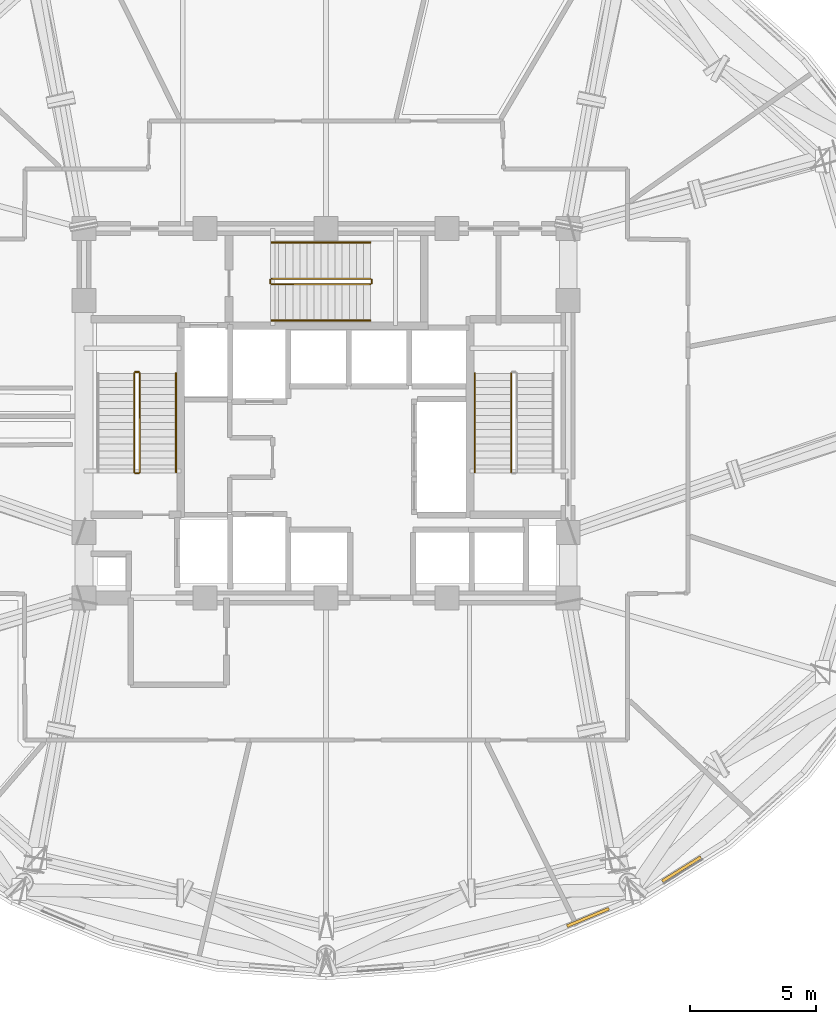
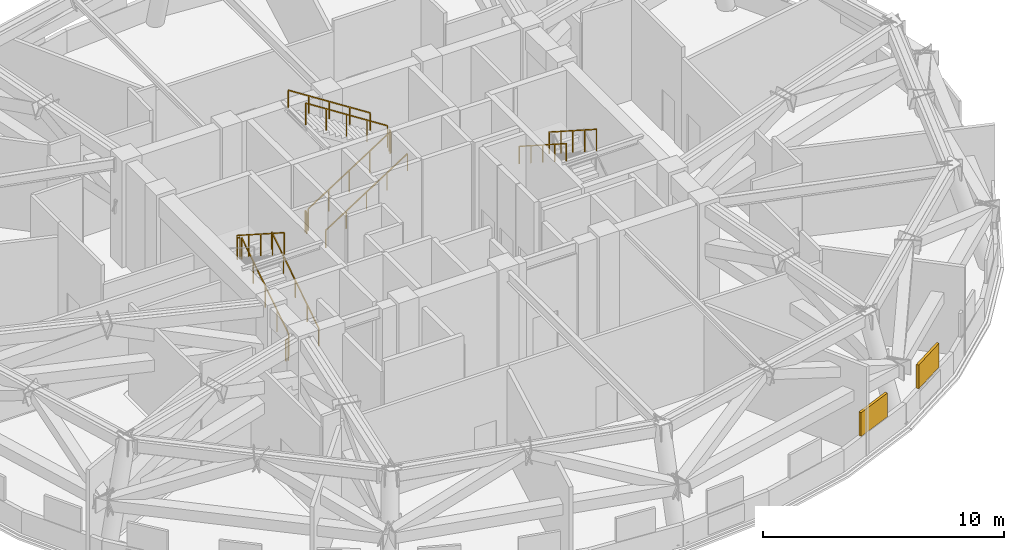
# One storey, part 11 of 13: 13 railings, 2 shading devices.
"""IFC4 building model written with IfcOpenShell, lengths in metres."""

from ifc_helpers import new_model, si_unit, direction, frame, origin, origin_2d, place, context, subcontext, project, spatial, rectangle, extrude, material, layer, layer_set, type_object, element, save


model = new_model("IFC4")

# Units and contexts
model_context = context("Model", 3, precision=1e-05, world=origin(), true_north=direction((0.0, 1.0)))
body_context = subcontext(model_context, "Body", "Model", "MODEL_VIEW")
ifc_project = project(units=[si_unit("LENGTHUNIT", "METRE"), si_unit("AREAUNIT", "SQUARE_METRE"), si_unit("VOLUMEUNIT", "CUBIC_METRE"), si_unit("PLANEANGLEUNIT", "RADIAN"), si_unit("MASSUNIT", "GRAM", prefix="KILO")], contexts=[model_context])

# Site, building, storey
site_placement = place(None, origin())
site = spatial("IfcSite", under=ifc_project, at=site_placement, CompositionType="ELEMENT")
building_placement = place(site_placement, origin())
building = spatial("IfcBuilding", under=site, at=building_placement, Name="Vantalir Tower", CompositionType="ELEMENT")
storey_placement = place(building_placement, frame((0.0, 0.0, 175.949951171875)))
storey = spatial("IfcBuildingStorey", under=building, at=storey_placement, Name="L44", CompositionType="ELEMENT", Elevation=175.949951171875)

# Railings
ifc_material_1 = material(Name="Anodised aluminium and stainless steel guard", Category="steel")
railing_type_1 = type_object("IfcRailingType", Name="RAL-GUARD-1120", PredefinedType="GUARDRAIL", material=ifc_material_1)
railing_1_placement = place(storey_placement, frame((24.110107421875, 22.7900390625, 0.179931640625)))
element("IfcRailing", 1, at=railing_1_placement, inside=storey, type_object=railing_type_1, Name="L44 ST1 stair guard 1", PredefinedType="GUARDRAIL", context=body_context, shape_type="SweptSolid", body=[
    extrude(rectangle(XDim=0.048095703125, YDim=0.048095703125, at=origin_2d()), frame((0.0, 0.0, 1.09619140625), z_axis=(0.0, 0.841171666519, 0.540768182723), x_axis=(-1.0, 0.0, 0.0)), (0.0, 0.0, 1.0), 4.66015625),
    extrude(rectangle(XDim=0.0419921875, YDim=0.0419921875, at=origin_2d()), origin(), (0.0, 0.0, 1.0), 1.072021484375),
    extrude(rectangle(XDim=0.0419921875, YDim=0.0419921875, at=origin_2d()), frame((0.0, 0.97998046875, 0.6298828125)), (0.0, 0.0, 1.0), 1.072021484375),
    extrude(rectangle(XDim=0.0419921875, YDim=0.0419921875, at=origin_2d()), frame((0.0, 1.9599609375, 1.260009765625)), (0.0, 0.0, 1.0), 1.072021484375),
    extrude(rectangle(XDim=0.0419921875, YDim=0.0419921875, at=origin_2d()), frame((0.0, 2.93994140625, 1.89013671875)), (0.0, 0.0, 1.0), 1.072021484375),
    extrude(rectangle(XDim=0.0419921875, YDim=0.0419921875, at=origin_2d()), frame((0.0, 3.919921875, 2.52001953125)), (0.0, 0.0, 1.0), 1.072021484375),
])
railing_2_placement = place(storey_placement, frame((24.06005859375, 26.760009765625, 2.699951171875)))
element("IfcRailing", 2, at=railing_2_placement, inside=storey, type_object=railing_type_1, Name="L44 ST1 stair guard 2", PredefinedType="GUARDRAIL", context=body_context, shape_type="SweptSolid", body=[
    extrude(rectangle(XDim=0.048095703125, YDim=0.048095703125, at=origin_2d()), frame((0.0, 0.0, 1.09619140625), z_axis=(-1.0, 0.0, 0.0), x_axis=(0.0, -1.0, 0.0)), (0.0, 0.0, 1.0), 0.1201171875),
    extrude(rectangle(XDim=0.0419921875, YDim=0.0419921875, at=origin_2d()), origin(), (0.0, 0.0, 1.0), 1.072021484375),
    extrude(rectangle(XDim=0.0419921875, YDim=0.0419921875, at=origin_2d()), frame((-0.1201171875, 0.0, 0.0)), (0.0, 0.0, 1.0), 1.072021484375),
])
railing_3_placement = place(storey_placement, frame((23.889892578125, 26.7099609375, 2.880126953125)))
element("IfcRailing", 3, at=railing_3_placement, inside=storey, type_object=railing_type_1, Name="L44 ST1 stair guard 3", PredefinedType="GUARDRAIL", context=body_context, shape_type="SweptSolid", body=[
    extrude(rectangle(XDim=0.048095703125, YDim=0.048095703125, at=origin_2d()), frame((0.0, 0.0, 1.09619140625), z_axis=(0.0, -0.841171666519, 0.540768182723), x_axis=(1.0, 0.0, 0.0)), (0.0, 0.0, 1.0), 4.66015625),
    extrude(rectangle(XDim=0.0419921875, YDim=0.0419921875, at=origin_2d()), origin(), (0.0, 0.0, 1.0), 1.072021484375),
    extrude(rectangle(XDim=0.0419921875, YDim=0.0419921875, at=origin_2d()), frame((0.0, -0.97998046875, 0.6298828125)), (0.0, 0.0, 1.0), 1.072021484375),
    extrude(rectangle(XDim=0.0419921875, YDim=0.0419921875, at=origin_2d()), frame((0.0, -1.9599609375, 1.260009765625)), (0.0, 0.0, 1.0), 1.072021484375),
    extrude(rectangle(XDim=0.0419921875, YDim=0.0419921875, at=origin_2d()), frame((0.0, -2.93994140625, 1.89013671875)), (0.0, 0.0, 1.0), 1.072021484375),
    extrude(rectangle(XDim=0.0419921875, YDim=0.0419921875, at=origin_2d()), frame((0.0, -3.919921875, 2.52001953125)), (0.0, 0.0, 1.0), 1.072021484375),
])
railing_4_placement = place(storey_placement, frame((24.06005859375, 22.739990234375, 0.0)))
element("IfcRailing", 4, at=railing_4_placement, inside=storey, type_object=railing_type_1, Name="L44 ST1 stair guard 4", PredefinedType="GUARDRAIL", context=body_context, shape_type="SweptSolid", body=[
    extrude(rectangle(XDim=0.048095703125, YDim=0.048095703125, at=origin_2d()), frame((0.0, 0.0, 1.09619140625), z_axis=(-1.0, 0.0, 0.0), x_axis=(0.0, -1.0, 0.0)), (0.0, 0.0, 1.0), 0.1201171875),
    extrude(rectangle(XDim=0.0419921875, YDim=0.0419921875, at=origin_2d()), origin(), (0.0, 0.0, 1.0), 1.072021484375),
    extrude(rectangle(XDim=0.0419921875, YDim=0.0419921875, at=origin_2d()), frame((-0.1201171875, 0.0, 0.0)), (0.0, 0.0, 1.0), 1.072021484375),
])
railing_5_placement = place(storey_placement, frame((38.840087890625, 26.7099609375, 2.880126953125)))
element("IfcRailing", 5, at=railing_5_placement, inside=storey, type_object=railing_type_1, Name="L44 ST2 stair guard 3", PredefinedType="GUARDRAIL", context=body_context, shape_type="SweptSolid", body=[
    extrude(rectangle(XDim=0.048095703125, YDim=0.048095703125, at=origin_2d()), frame((0.0, 0.0, 1.09619140625), z_axis=(0.0, -0.841171666519, 0.540768182723), x_axis=(1.0, 0.0, 0.0)), (0.0, 0.0, 1.0), 4.66015625),
    extrude(rectangle(XDim=0.0419921875, YDim=0.0419921875, at=origin_2d()), origin(), (0.0, 0.0, 1.0), 1.072021484375),
    extrude(rectangle(XDim=0.0419921875, YDim=0.0419921875, at=origin_2d()), frame((0.0, -0.97998046875, 0.6298828125)), (0.0, 0.0, 1.0), 1.072021484375),
    extrude(rectangle(XDim=0.0419921875, YDim=0.0419921875, at=origin_2d()), frame((0.0, -1.9599609375, 1.260009765625)), (0.0, 0.0, 1.0), 1.072021484375),
    extrude(rectangle(XDim=0.0419921875, YDim=0.0419921875, at=origin_2d()), frame((0.0, -2.93994140625, 1.89013671875)), (0.0, 0.0, 1.0), 1.072021484375),
    extrude(rectangle(XDim=0.0419921875, YDim=0.0419921875, at=origin_2d()), frame((0.0, -3.919921875, 2.52001953125)), (0.0, 0.0, 1.0), 1.072021484375),
])
railing_6_placement = place(storey_placement, frame((29.340087890625, 30.239990234375, 0.179931640625)))
element("IfcRailing", 6, at=railing_6_placement, inside=storey, type_object=railing_type_1, Name="L44 ST3 stair guard 1", PredefinedType="GUARDRAIL", context=body_context, shape_type="SweptSolid", body=[
    extrude(rectangle(XDim=0.048095703125, YDim=0.048095703125, at=origin_2d()), frame((0.0, 0.0, 1.09619140625), z_axis=(0.841171666519, 0.0, 0.540768182723), x_axis=(0.0, 1.0, 0.0)), (0.0, 0.0, 1.0), 4.66015625),
    extrude(rectangle(XDim=0.0419921875, YDim=0.0419921875, at=origin_2d()), origin(), (0.0, 0.0, 1.0), 1.072021484375),
    extrude(rectangle(XDim=0.0419921875, YDim=0.0419921875, at=origin_2d()), frame((0.97998046875, 0.0, 0.6298828125)), (0.0, 0.0, 1.0), 1.072021484375),
    extrude(rectangle(XDim=0.0419921875, YDim=0.0419921875, at=origin_2d()), frame((1.9599609375, 0.0, 1.260009765625)), (0.0, 0.0, 1.0), 1.072021484375),
    extrude(rectangle(XDim=0.0419921875, YDim=0.0419921875, at=origin_2d()), frame((2.93994140625, 0.0, 1.89013671875)), (0.0, 0.0, 1.0), 1.072021484375),
    extrude(rectangle(XDim=0.0419921875, YDim=0.0419921875, at=origin_2d()), frame((3.919921875, 0.0, 2.52001953125)), (0.0, 0.0, 1.0), 1.072021484375),
])
railing_7_placement = place(storey_placement, frame((33.31005859375, 30.2900390625, 2.699951171875)))
element("IfcRailing", 7, at=railing_7_placement, inside=storey, type_object=railing_type_1, Name="L44 ST3 stair guard 2", PredefinedType="GUARDRAIL", context=body_context, shape_type="SweptSolid", body=[
    extrude(rectangle(XDim=0.048095703125, YDim=0.048095703125, at=origin_2d()), frame((0.0, 0.0, 1.09619140625), z_axis=(0.0, 1.0, 0.0), x_axis=(-1.0, 0.0, 0.0)), (0.0, 0.0, 1.0), 0.119873046875),
    extrude(rectangle(XDim=0.0419921875, YDim=0.0419921875, at=origin_2d()), origin(), (0.0, 0.0, 1.0), 1.072021484375),
    extrude(rectangle(XDim=0.0419921875, YDim=0.0419921875, at=origin_2d()), frame((0.0, 0.119873046875, 0.0)), (0.0, 0.0, 1.0), 1.072021484375),
])
railing_8_placement = place(storey_placement, frame((33.260009765625, 30.4599609375, 2.880126953125)))
element("IfcRailing", 8, at=railing_8_placement, inside=storey, type_object=railing_type_1, Name="L44 ST3 stair guard 3", PredefinedType="GUARDRAIL", context=body_context, shape_type="SweptSolid", body=[
    extrude(rectangle(XDim=0.048095703125, YDim=0.048095703125, at=origin_2d()), frame((0.0, 0.0, 1.09619140625), z_axis=(-0.841171666519, 0.0, 0.540768182723), x_axis=(0.0, -1.0, 0.0)), (0.0, 0.0, 1.0), 4.66015625),
    extrude(rectangle(XDim=0.0419921875, YDim=0.0419921875, at=origin_2d()), origin(), (0.0, 0.0, 1.0), 1.072021484375),
    extrude(rectangle(XDim=0.0419921875, YDim=0.0419921875, at=origin_2d()), frame((-0.97998046875, 0.0, 0.6298828125)), (0.0, 0.0, 1.0), 1.072021484375),
    extrude(rectangle(XDim=0.0419921875, YDim=0.0419921875, at=origin_2d()), frame((-1.9599609375, 0.0, 1.260009765625)), (0.0, 0.0, 1.0), 1.072021484375),
    extrude(rectangle(XDim=0.0419921875, YDim=0.0419921875, at=origin_2d()), frame((-2.93994140625, 0.0, 1.89013671875)), (0.0, 0.0, 1.0), 1.072021484375),
    extrude(rectangle(XDim=0.0419921875, YDim=0.0419921875, at=origin_2d()), frame((-3.919921875, 0.0, 2.52001953125)), (0.0, 0.0, 1.0), 1.072021484375),
])
railing_9_placement = place(storey_placement, frame((29.2900390625, 30.2900390625, 0.0)))
element("IfcRailing", 9, at=railing_9_placement, inside=storey, type_object=railing_type_1, Name="L44 ST3 stair guard 4", PredefinedType="GUARDRAIL", context=body_context, shape_type="SweptSolid", body=[
    extrude(rectangle(XDim=0.048095703125, YDim=0.048095703125, at=origin_2d()), frame((0.0, 0.0, 1.09619140625), z_axis=(0.0, 1.0, 0.0), x_axis=(-1.0, 0.0, 0.0)), (0.0, 0.0, 1.0), 0.119873046875),
    extrude(rectangle(XDim=0.0419921875, YDim=0.0419921875, at=origin_2d()), origin(), (0.0, 0.0, 1.0), 1.072021484375),
    extrude(rectangle(XDim=0.0419921875, YDim=0.0419921875, at=origin_2d()), frame((0.0, 0.119873046875, 0.0)), (0.0, 0.0, 1.0), 1.072021484375),
])
ifc_material_2 = material(Name="Brushed stainless steel tubular handrail", Category="steel")
railing_type_2 = type_object("IfcRailingType", Name="RAL-HANDRAIL-900", PredefinedType="HANDRAIL", material=ifc_material_2)
railing_10_placement = place(storey_placement, frame((25.550048828125, 22.7900390625, 0.179931640625)))
element("IfcRailing", 10, at=railing_10_placement, inside=storey, type_object=railing_type_2, Name="L44 ST1 stair handrail 1", PredefinedType="HANDRAIL", context=body_context, shape_type="SweptSolid", body=[
    extrude(rectangle(XDim=0.048095703125, YDim=0.048095703125, at=origin_2d()), frame((0.0, 0.0, 0.8759765625), z_axis=(0.0, 0.841171666519, 0.540768182723), x_axis=(-1.0, 0.0, 0.0)), (0.0, 0.0, 1.0), 4.66015625),
    extrude(rectangle(XDim=0.0419921875, YDim=0.0419921875, at=origin_2d()), origin(), (0.0, 0.0, 1.0), 0.851806640625),
    extrude(rectangle(XDim=0.0419921875, YDim=0.0419921875, at=origin_2d()), frame((0.0, 0.97998046875, 0.6298828125)), (0.0, 0.0, 1.0), 0.851806640625),
    extrude(rectangle(XDim=0.0419921875, YDim=0.0419921875, at=origin_2d()), frame((0.0, 1.9599609375, 1.260009765625)), (0.0, 0.0, 1.0), 0.851806640625),
    extrude(rectangle(XDim=0.0419921875, YDim=0.0419921875, at=origin_2d()), frame((0.0, 2.93994140625, 1.89013671875)), (0.0, 0.0, 1.0), 0.851806640625),
    extrude(rectangle(XDim=0.0419921875, YDim=0.0419921875, at=origin_2d()), frame((0.0, 3.919921875, 2.52001953125)), (0.0, 0.0, 1.0), 0.851806640625),
])
railing_11_placement = place(storey_placement, frame((37.39990234375, 26.7099609375, 2.880126953125)))
element("IfcRailing", 11, at=railing_11_placement, inside=storey, type_object=railing_type_2, Name="L44 ST2 stair handrail 2", PredefinedType="HANDRAIL", context=body_context, shape_type="SweptSolid", body=[
    extrude(rectangle(XDim=0.048095703125, YDim=0.048095703125, at=origin_2d()), frame((0.0, 0.0, 0.8759765625), z_axis=(0.0, -0.841171666519, 0.540768182723), x_axis=(1.0, 0.0, 0.0)), (0.0, 0.0, 1.0), 4.66015625),
    extrude(rectangle(XDim=0.0419921875, YDim=0.0419921875, at=origin_2d()), origin(), (0.0, 0.0, 1.0), 0.851806640625),
    extrude(rectangle(XDim=0.0419921875, YDim=0.0419921875, at=origin_2d()), frame((0.0, -0.97998046875, 0.6298828125)), (0.0, 0.0, 1.0), 0.851806640625),
    extrude(rectangle(XDim=0.0419921875, YDim=0.0419921875, at=origin_2d()), frame((0.0, -1.9599609375, 1.260009765625)), (0.0, 0.0, 1.0), 0.851806640625),
    extrude(rectangle(XDim=0.0419921875, YDim=0.0419921875, at=origin_2d()), frame((0.0, -2.93994140625, 1.89013671875)), (0.0, 0.0, 1.0), 0.851806640625),
    extrude(rectangle(XDim=0.0419921875, YDim=0.0419921875, at=origin_2d()), frame((0.0, -3.919921875, 2.52001953125)), (0.0, 0.0, 1.0), 0.851806640625),
])
railing_12_placement = place(storey_placement, frame((29.340087890625, 28.800048828125, 0.179931640625)))
element("IfcRailing", 12, at=railing_12_placement, inside=storey, type_object=railing_type_2, Name="L44 ST3 stair handrail 1", PredefinedType="HANDRAIL", context=body_context, shape_type="SweptSolid", body=[
    extrude(rectangle(XDim=0.048095703125, YDim=0.048095703125, at=origin_2d()), frame((0.0, 0.0, 0.8759765625), z_axis=(0.841171666519, 0.0, 0.540768182723), x_axis=(0.0, 1.0, 0.0)), (0.0, 0.0, 1.0), 4.66015625),
    extrude(rectangle(XDim=0.0419921875, YDim=0.0419921875, at=origin_2d()), origin(), (0.0, 0.0, 1.0), 0.851806640625),
    extrude(rectangle(XDim=0.0419921875, YDim=0.0419921875, at=origin_2d()), frame((0.97998046875, 0.0, 0.6298828125)), (0.0, 0.0, 1.0), 0.851806640625),
    extrude(rectangle(XDim=0.0419921875, YDim=0.0419921875, at=origin_2d()), frame((1.9599609375, 0.0, 1.260009765625)), (0.0, 0.0, 1.0), 0.851806640625),
    extrude(rectangle(XDim=0.0419921875, YDim=0.0419921875, at=origin_2d()), frame((2.93994140625, 0.0, 1.89013671875)), (0.0, 0.0, 1.0), 0.851806640625),
    extrude(rectangle(XDim=0.0419921875, YDim=0.0419921875, at=origin_2d()), frame((3.919921875, 0.0, 2.52001953125)), (0.0, 0.0, 1.0), 0.851806640625),
])
railing_13_placement = place(storey_placement, frame((33.260009765625, 31.89990234375, 2.880126953125)))
element("IfcRailing", 13, at=railing_13_placement, inside=storey, type_object=railing_type_2, Name="L44 ST3 stair handrail 2", PredefinedType="HANDRAIL", context=body_context, shape_type="SweptSolid", body=[
    extrude(rectangle(XDim=0.048095703125, YDim=0.048095703125, at=origin_2d()), frame((0.0, 0.0, 0.8759765625), z_axis=(-0.841171666519, 0.0, 0.540768182723), x_axis=(0.0, -1.0, 0.0)), (0.0, 0.0, 1.0), 4.66015625),
    extrude(rectangle(XDim=0.0419921875, YDim=0.0419921875, at=origin_2d()), origin(), (0.0, 0.0, 1.0), 0.851806640625),
    extrude(rectangle(XDim=0.0419921875, YDim=0.0419921875, at=origin_2d()), frame((-0.97998046875, 0.0, 0.6298828125)), (0.0, 0.0, 1.0), 0.851806640625),
    extrude(rectangle(XDim=0.0419921875, YDim=0.0419921875, at=origin_2d()), frame((-1.9599609375, 0.0, 1.260009765625)), (0.0, 0.0, 1.0), 0.851806640625),
    extrude(rectangle(XDim=0.0419921875, YDim=0.0419921875, at=origin_2d()), frame((-2.93994140625, 0.0, 1.89013671875)), (0.0, 0.0, 1.0), 0.851806640625),
    extrude(rectangle(XDim=0.0419921875, YDim=0.0419921875, at=origin_2d()), frame((-3.919921875, 0.0, 2.52001953125)), (0.0, 0.0, 1.0), 0.851806640625),
])

# Shading devices
ifc_material_3 = material(Name="Champagne-silver PVDF aluminium storm louvre", Category="aluminium")
ifc_layer = layer(ifc_material_3, 0.1201171875)
ifc_layer_set = layer_set([ifc_layer], Name="Champagne-silver PVDF aluminium storm louvre")
shading_device_type = type_object("IfcShadingDeviceType", Name="SHD-STORM-LOUVRE", PredefinedType="JALOUSIE", material=ifc_layer_set)
for number, where, z_axis, x_axis, name in (
    (14, (41.889892578125, 5.1259765625, 1.1162109375), (0.0, 0.0, 1.0), (0.923290683488, 0.384101957537, 0.0), "L44 Acoustic Storm Louvre R30"),
    (15, (45.60205078125, 7.0380859375, 1.1162109375), (0.0, 0.0, 1.0), (0.848159063587, 0.529741637834, 0.0), "L44 Acoustic Storm Louvre R31"),
):
    element("IfcShadingDevice", number, at=place(storey_placement, frame(where, z_axis=z_axis, x_axis=x_axis)), inside=storey, type_object=shading_device_type, Name=name, PredefinedType="JALOUSIE", context=body_context, shape_type="SweptSolid", body=[
        extrude(rectangle(XDim=1.800048828125, YDim=0.1201171875, at=origin_2d()), origin(), (0.0, 0.0, 1.0), 1.199951171875),
    ])

save(model, "model.ifc")
